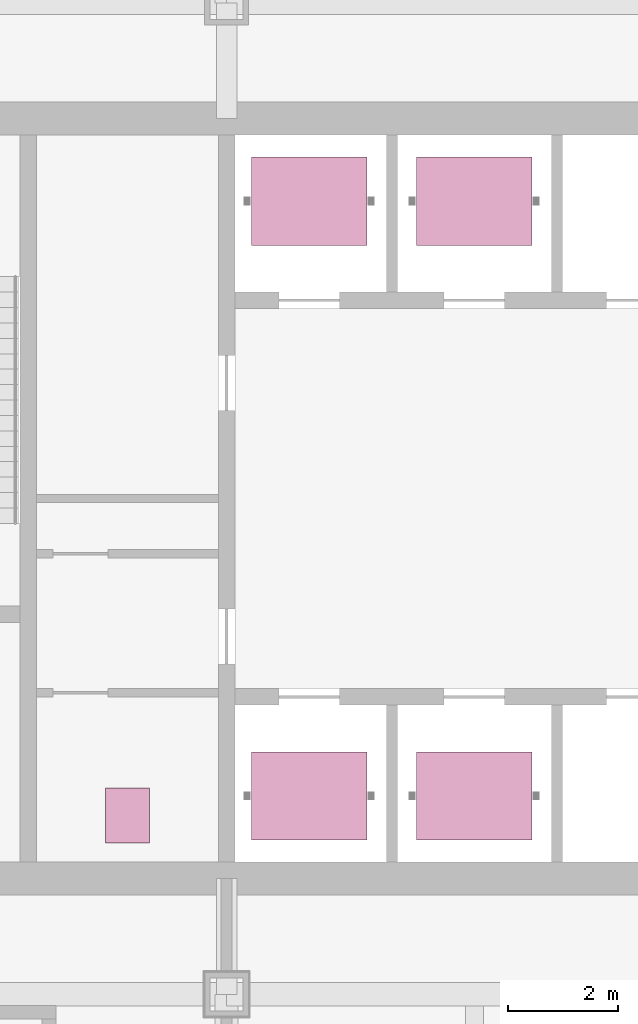
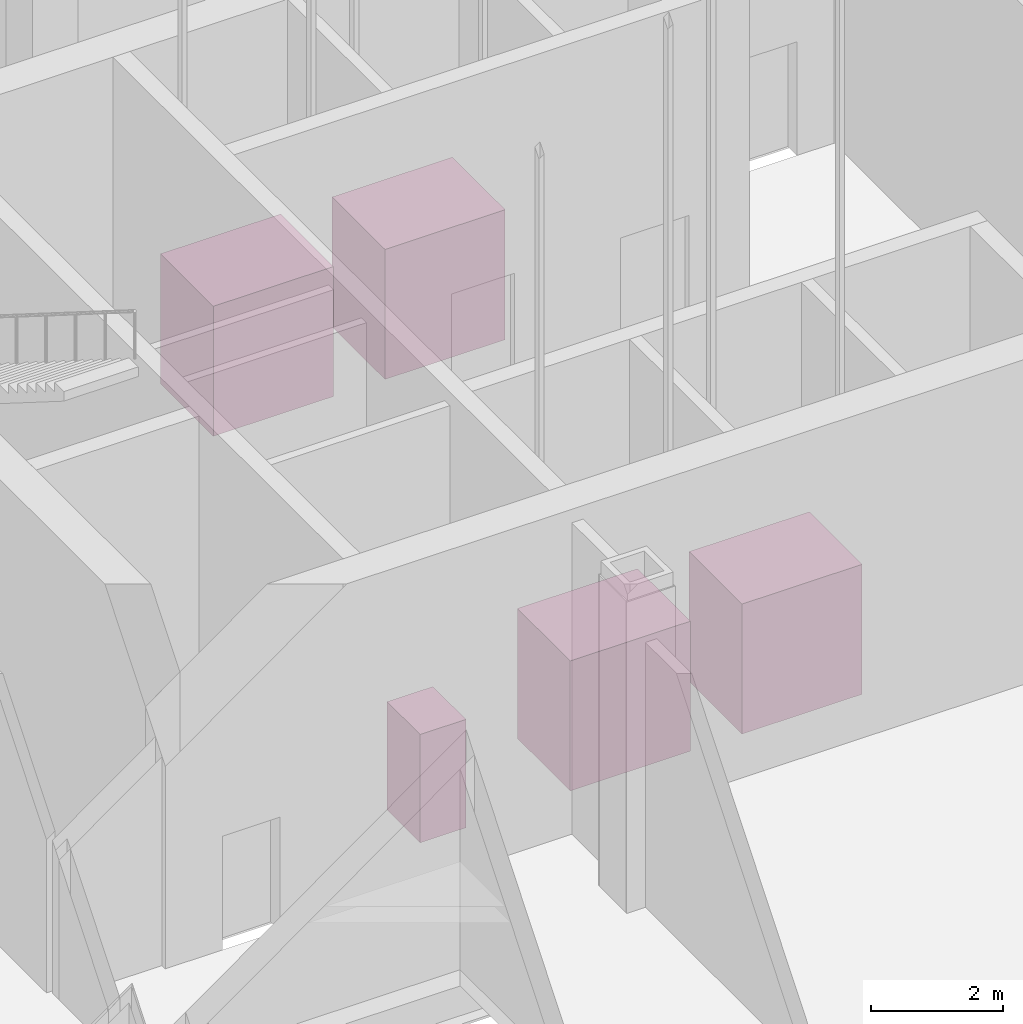
# One storey, part 33 of 34: 4 transport elements, 1 furniture element.
"""IFC4 building model written with IfcOpenShell, lengths in metres."""

from ifc_helpers import new_model, si_unit, direction, frame, origin, origin_2d, place, context, subcontext, project, spatial, rectangle, extrude, material, type_object, element, save


model = new_model("IFC4")

# Units and contexts
model_context = context("Model", 3, precision=1e-05, world=origin(), true_north=direction((0.0, 1.0)))
body_context = subcontext(model_context, "Body", "Model", "MODEL_VIEW")
ifc_project = project(units=[si_unit("LENGTHUNIT", "METRE"), si_unit("AREAUNIT", "SQUARE_METRE"), si_unit("VOLUMEUNIT", "CUBIC_METRE"), si_unit("PLANEANGLEUNIT", "RADIAN"), si_unit("MASSUNIT", "GRAM", prefix="KILO")], contexts=[model_context])

# Site, building, storey
site_placement = place(None, origin())
site = spatial("IfcSite", under=ifc_project, at=site_placement, CompositionType="ELEMENT")
building_placement = place(site_placement, origin())
building = spatial("IfcBuilding", under=site, at=building_placement, Name="Loomwork Tower", CompositionType="ELEMENT")
storey_placement = place(building_placement, origin())
storey = spatial("IfcBuildingStorey", under=building, at=storey_placement, Name="L00", CompositionType="ELEMENT", Elevation=0.0)

# Transport elements
ifc_material_1 = material(Name="Steel lift car", Category="steel")
transport_element_type_1 = type_object("IfcTransportElementType", Name="Passenger lift 1600 kg", PredefinedType="ELEVATOR", material=ifc_material_1)
for number, where, z_axis, x_axis, name in (
    (1, (19.5, 12.60009765625, -10.5), (0.0, 0.0, 1.0), (1.0, 0.0, 0.0), "Passenger lift LA1"),
    (2, (22.5, 12.60009765625, -10.5), (0.0, 0.0, 1.0), (1.0, 0.0, 0.0), "Passenger lift LA2"),
):
    element("IfcTransportElement", number, at=place(storey_placement, frame(where, z_axis=z_axis, x_axis=x_axis)), inside=storey, type_object=transport_element_type_1, Name=name, PredefinedType="ELEVATOR", context=body_context, shape_type="SweptSolid", body=[
        extrude(rectangle(XDim=2.10009765625, YDim=1.60009765625, at=origin_2d()), frame((0.0, 0.0, 10.5)), (0.0, 0.0, 1.0), 2.39990234375),
    ])
ifc_material_2 = material(Name="Steel lift car", Category="steel")
transport_element_type_2 = type_object("IfcTransportElementType", Name="Shuttle lift 1600 kg", PredefinedType="ELEVATOR", material=ifc_material_2)
for number, where, z_axis, x_axis, name in (
    (3, (19.5, 23.39990234375, -10.5), (0.0, 0.0, 1.0), (1.0, 0.0, 0.0), "Shuttle lift LS1"),
    (4, (22.5, 23.39990234375, -10.5), (0.0, 0.0, 1.0), (1.0, 0.0, 0.0), "Shuttle lift LS2"),
):
    element("IfcTransportElement", number, at=place(storey_placement, frame(where, z_axis=z_axis, x_axis=x_axis)), inside=storey, type_object=transport_element_type_2, Name=name, PredefinedType="ELEVATOR", context=body_context, shape_type="SweptSolid", body=[
        extrude(rectangle(XDim=2.10009765625, YDim=1.60009765625, at=origin_2d()), frame((0.0, 0.0, 10.5)), (0.0, 0.0, 1.0), 2.39990234375),
    ])

# Furniture
furniture_placement = place(storey_placement, frame((16.199951171875, 12.25, 0.0), z_axis=(0.0, 0.0, 1.0), x_axis=(1.0, 0.0, 0.0)))
element("IfcFurniture", 5, at=furniture_placement, inside=storey, Name="Data cabinet L00", ObjectType="DATA CABINET", PredefinedType="USERDEFINED", context=body_context, shape_type="SweptSolid", body=[
    extrude(rectangle(XDim=0.800048828125, YDim=1.0, at=origin_2d()), origin(), (0.0, 0.0, 1.0), 2.0),
])

save(model, "model.ifc")
